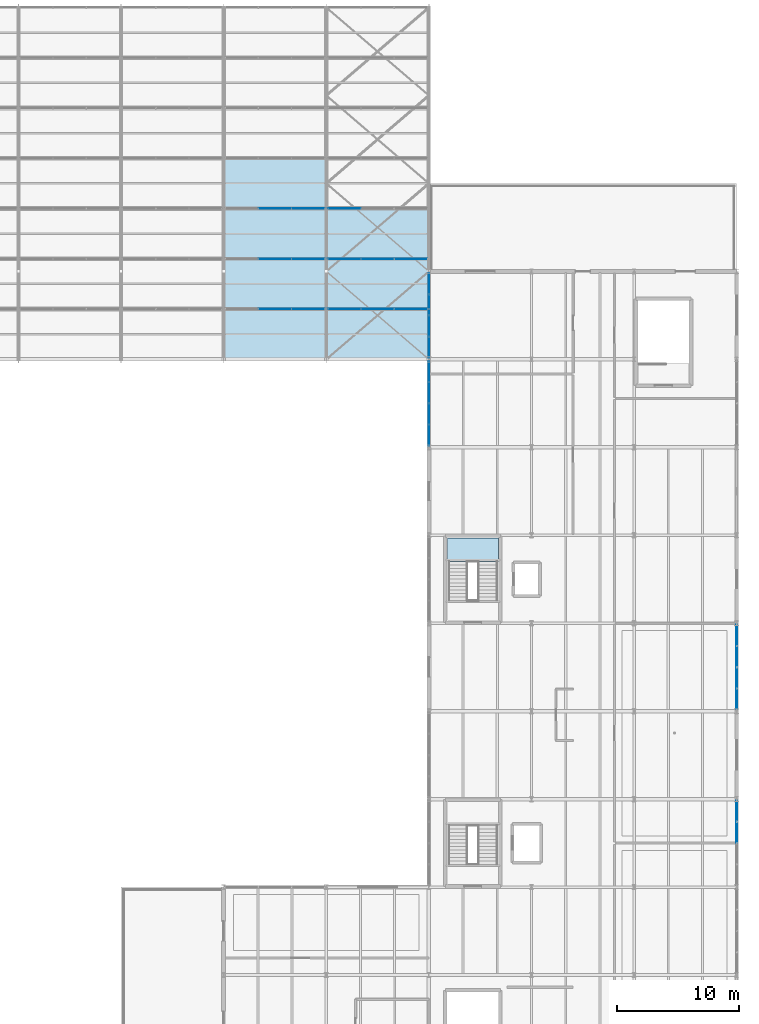
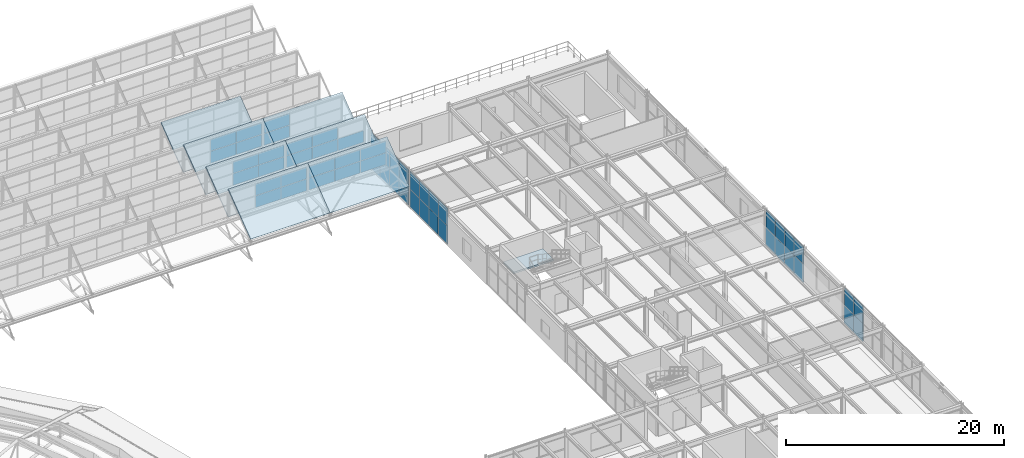
# One storey, part 110 of 134: 53 plates, 8 slabs, 11 elements without a shape of their own.
"""IFC4 building model written with IfcOpenShell, lengths in metres."""

from ifc_helpers import new_model, si_unit, derived_unit, direction, frame, origin, origin_2d, place, context, subcontext, project, spatial, polyline, rectangle, outline, extrude, material, layer, layer_set, type_object, element, aggregate, save


model = new_model("IFC4")

# Units and contexts
model_context = context("Model", 3, precision=1e-05, world=origin(), true_north=direction((0.0, 1.0)))
body_context = subcontext(model_context, "Body", "Model", "MODEL_VIEW")
ifc_project = project(units=[si_unit("LENGTHUNIT", "METRE"), si_unit("AREAUNIT", "SQUARE_METRE"), si_unit("VOLUMEUNIT", "CUBIC_METRE"), si_unit("PLANEANGLEUNIT", "RADIAN"), si_unit("MASSUNIT", "GRAM", prefix="KILO"), derived_unit("THERMALTRANSMITTANCEUNIT", [(si_unit("MASSUNIT", "GRAM", prefix="KILO"), 1), (si_unit("TIMEUNIT", "SECOND"), -3), (si_unit("THERMODYNAMICTEMPERATUREUNIT", "KELVIN"), -1)])], contexts=[model_context])

# Site, building, storey
site_placement = place(None, origin())
site = spatial("IfcSite", under=ifc_project, at=site_placement, CompositionType="ELEMENT")
building_placement = place(site_placement, origin())
building = spatial("IfcBuilding", under=site, at=building_placement, Name="Kharveza Railside Sports Centre", CompositionType="ELEMENT")
storey_placement = place(building_placement, frame((0.0, 0.0, 12.89990234375)))
storey = spatial("IfcBuildingStorey", under=building, at=storey_placement, Name="L03", CompositionType="ELEMENT", Elevation=12.89990234375)

# Curtain wall, plates
ifc_material_1 = material(Name="Low-E solar-control laminated glass", Category="glass")
curtain_wall_type_1 = type_object("IfcCurtainWallType", Name="CW-NL02", PredefinedType="NOTDEFINED", material=ifc_material_1)
curtain_wall_1_placement = place(storey_placement, origin())
curtain_wall_1 = element("IfcCurtainWall", 1, at=curtain_wall_1_placement, inside=storey, type_object=curtain_wall_type_1, Name="CW-V2NL-1-5", PredefinedType="NOTDEFINED")
ifc_layer_1 = layer(ifc_material_1, 0.033935546875, Name="Low-E solar-control laminated glass")
ifc_layer_set_1 = layer_set([ifc_layer_1], Name="Low-E solar-control laminated glass")
plate_type_1 = type_object("IfcPlateType", Name="PL-CP06", PredefinedType="CURTAIN_PANEL", material=ifc_layer_set_1)
plate_1_placement = place(storey_placement, frame((130.199951171875, 83.314208984375, 2.219970703125), z_axis=(0.0, 0.0, 1.0), x_axis=(1.0, 0.0, 0.0)))
plate_1 = element("IfcPlate", 2, at=plate_1_placement, type_object=plate_type_1, Name="CW-V2NL-1-5-PN21", PredefinedType="CURTAIN_PANEL", context=body_context, shape_type="SweptSolid", body=[
    extrude(rectangle(XDim=2.679931640625, YDim=0.033935546875, at=origin_2d()), origin(), (0.0, 0.0, 1.0), 1.31005859375),
])
plate_2_placement = place(storey_placement, frame((130.199951171875, 83.314208984375, 3.570068359375), z_axis=(0.0, 0.0, 1.0), x_axis=(1.0, 0.0, 0.0)))
plate_2 = element("IfcPlate", 3, at=plate_2_placement, type_object=plate_type_1, Name="CW-V2NL-1-5-PN22", PredefinedType="CURTAIN_PANEL", context=body_context, shape_type="SweptSolid", body=[
    extrude(rectangle(XDim=2.679931640625, YDim=0.033935546875, at=origin_2d()), origin(), (0.0, 0.0, 1.0), 1.31005859375),
])
plate_3_placement = place(storey_placement, frame((132.919921875, 83.314208984375, 2.219970703125), z_axis=(0.0, 0.0, 1.0), x_axis=(1.0, 0.0, 0.0)))
plate_3 = element("IfcPlate", 4, at=plate_3_placement, type_object=plate_type_1, Name="CW-V2NL-1-5-PN31", PredefinedType="CURTAIN_PANEL", context=body_context, shape_type="SweptSolid", body=[
    extrude(rectangle(XDim=2.679931640625, YDim=0.033935546875, at=origin_2d()), origin(), (0.0, 0.0, 1.0), 1.31005859375),
])
plate_4_placement = place(storey_placement, frame((132.919921875, 83.314208984375, 3.570068359375), z_axis=(0.0, 0.0, 1.0), x_axis=(1.0, 0.0, 0.0)))
plate_4 = element("IfcPlate", 5, at=plate_4_placement, type_object=plate_type_1, Name="CW-V2NL-1-5-PN32", PredefinedType="CURTAIN_PANEL", context=body_context, shape_type="SweptSolid", body=[
    extrude(rectangle(XDim=2.679931640625, YDim=0.033935546875, at=origin_2d()), origin(), (0.0, 0.0, 1.0), 1.31005859375),
])
aggregate(curtain_wall_1, [plate_1, plate_2, plate_3, plate_4])

curtain_wall_2_placement = place(storey_placement, origin())
curtain_wall_2 = element("IfcCurtainWall", 6, at=curtain_wall_2_placement, inside=storey, type_object=curtain_wall_type_1, Name="CW-V2NL-1-6", PredefinedType="NOTDEFINED")
plate_5_placement = place(storey_placement, frame((135.8798828125, 83.314208984375, 2.219970703125), z_axis=(0.0, 0.0, 1.0), x_axis=(1.0, 0.0, 0.0)))
plate_5 = element("IfcPlate", 7, at=plate_5_placement, type_object=plate_type_1, Name="CW-V2NL-1-6-PN11", PredefinedType="CURTAIN_PANEL", context=body_context, shape_type="SweptSolid", body=[
    extrude(rectangle(XDim=2.679931640625, YDim=0.033935546875, at=origin_2d()), origin(), (0.0, 0.0, 1.0), 1.31005859375),
])
plate_6_placement = place(storey_placement, frame((135.8798828125, 83.314208984375, 3.570068359375), z_axis=(0.0, 0.0, 1.0), x_axis=(1.0, 0.0, 0.0)))
plate_6 = element("IfcPlate", 8, at=plate_6_placement, type_object=plate_type_1, Name="CW-V2NL-1-6-PN12", PredefinedType="CURTAIN_PANEL", context=body_context, shape_type="SweptSolid", body=[
    extrude(rectangle(XDim=2.679931640625, YDim=0.033935546875, at=origin_2d()), origin(), (0.0, 0.0, 1.0), 1.31005859375),
])
plate_7_placement = place(storey_placement, frame((138.60009765625, 83.314208984375, 2.219970703125), z_axis=(0.0, 0.0, 1.0), x_axis=(1.0, 0.0, 0.0)))
plate_7 = element("IfcPlate", 9, at=plate_7_placement, type_object=plate_type_1, Name="CW-V2NL-1-6-PN21", PredefinedType="CURTAIN_PANEL", context=body_context, shape_type="SweptSolid", body=[
    extrude(rectangle(XDim=2.679931640625, YDim=0.033935546875, at=origin_2d()), origin(), (0.0, 0.0, 1.0), 1.31005859375),
])
plate_8_placement = place(storey_placement, frame((138.60009765625, 83.314208984375, 3.570068359375), z_axis=(0.0, 0.0, 1.0), x_axis=(1.0, 0.0, 0.0)))
plate_8 = element("IfcPlate", 10, at=plate_8_placement, type_object=plate_type_1, Name="CW-V2NL-1-6-PN22", PredefinedType="CURTAIN_PANEL", context=body_context, shape_type="SweptSolid", body=[
    extrude(rectangle(XDim=2.679931640625, YDim=0.033935546875, at=origin_2d()), origin(), (0.0, 0.0, 1.0), 1.31005859375),
])
plate_9_placement = place(storey_placement, frame((141.320068359375, 83.314208984375, 2.219970703125), z_axis=(0.0, 0.0, 1.0), x_axis=(1.0, 0.0, 0.0)))
plate_9 = element("IfcPlate", 11, at=plate_9_placement, type_object=plate_type_1, Name="CW-V2NL-1-6-PN31", PredefinedType="CURTAIN_PANEL", context=body_context, shape_type="SweptSolid", body=[
    extrude(rectangle(XDim=2.679931640625, YDim=0.033935546875, at=origin_2d()), origin(), (0.0, 0.0, 1.0), 1.31005859375),
])
plate_10_placement = place(storey_placement, frame((141.320068359375, 83.314208984375, 3.570068359375), z_axis=(0.0, 0.0, 1.0), x_axis=(1.0, 0.0, 0.0)))
plate_10 = element("IfcPlate", 12, at=plate_10_placement, type_object=plate_type_1, Name="CW-V2NL-1-6-PN32", PredefinedType="CURTAIN_PANEL", context=body_context, shape_type="SweptSolid", body=[
    extrude(rectangle(XDim=2.679931640625, YDim=0.033935546875, at=origin_2d()), origin(), (0.0, 0.0, 1.0), 1.31005859375),
])
aggregate(curtain_wall_2, [plate_5, plate_6, plate_7, plate_8, plate_9, plate_10])

curtain_wall_3_placement = place(storey_placement, origin())
curtain_wall_3 = element("IfcCurtainWall", 13, at=curtain_wall_3_placement, inside=storey, type_object=curtain_wall_type_1, Name="CW-V2NL-2-5", PredefinedType="NOTDEFINED")
plate_11_placement = place(storey_placement, frame((130.199951171875, 87.4287109375, 2.219970703125), z_axis=(0.0, 0.0, 1.0), x_axis=(1.0, 0.0, 0.0)))
plate_11 = element("IfcPlate", 14, at=plate_11_placement, type_object=plate_type_1, Name="CW-V2NL-2-5-PN21", PredefinedType="CURTAIN_PANEL", context=body_context, shape_type="SweptSolid", body=[
    extrude(rectangle(XDim=2.679931640625, YDim=0.033935546875, at=origin_2d()), origin(), (0.0, 0.0, 1.0), 1.31005859375),
])
plate_12_placement = place(storey_placement, frame((130.199951171875, 87.4287109375, 3.570068359375), z_axis=(0.0, 0.0, 1.0), x_axis=(1.0, 0.0, 0.0)))
plate_12 = element("IfcPlate", 15, at=plate_12_placement, type_object=plate_type_1, Name="CW-V2NL-2-5-PN22", PredefinedType="CURTAIN_PANEL", context=body_context, shape_type="SweptSolid", body=[
    extrude(rectangle(XDim=2.679931640625, YDim=0.033935546875, at=origin_2d()), origin(), (0.0, 0.0, 1.0), 1.31005859375),
])
plate_13_placement = place(storey_placement, frame((132.919921875, 87.4287109375, 2.219970703125), z_axis=(0.0, 0.0, 1.0), x_axis=(1.0, 0.0, 0.0)))
plate_13 = element("IfcPlate", 16, at=plate_13_placement, type_object=plate_type_1, Name="CW-V2NL-2-5-PN31", PredefinedType="CURTAIN_PANEL", context=body_context, shape_type="SweptSolid", body=[
    extrude(rectangle(XDim=2.679931640625, YDim=0.033935546875, at=origin_2d()), origin(), (0.0, 0.0, 1.0), 1.31005859375),
])
plate_14_placement = place(storey_placement, frame((132.919921875, 87.4287109375, 3.570068359375), z_axis=(0.0, 0.0, 1.0), x_axis=(1.0, 0.0, 0.0)))
plate_14 = element("IfcPlate", 17, at=plate_14_placement, type_object=plate_type_1, Name="CW-V2NL-2-5-PN32", PredefinedType="CURTAIN_PANEL", context=body_context, shape_type="SweptSolid", body=[
    extrude(rectangle(XDim=2.679931640625, YDim=0.033935546875, at=origin_2d()), origin(), (0.0, 0.0, 1.0), 1.31005859375),
])
aggregate(curtain_wall_3, [plate_11, plate_12, plate_13, plate_14])

curtain_wall_4_placement = place(storey_placement, origin())
curtain_wall_4 = element("IfcCurtainWall", 18, at=curtain_wall_4_placement, inside=storey, type_object=curtain_wall_type_1, Name="CW-V2NL-2-6", PredefinedType="NOTDEFINED")
plate_15_placement = place(storey_placement, frame((135.8798828125, 87.4287109375, 2.219970703125), z_axis=(0.0, 0.0, 1.0), x_axis=(1.0, 0.0, 0.0)))
plate_15 = element("IfcPlate", 19, at=plate_15_placement, type_object=plate_type_1, Name="CW-V2NL-2-6-PN11", PredefinedType="CURTAIN_PANEL", context=body_context, shape_type="SweptSolid", body=[
    extrude(rectangle(XDim=2.679931640625, YDim=0.033935546875, at=origin_2d()), origin(), (0.0, 0.0, 1.0), 1.31005859375),
])
plate_16_placement = place(storey_placement, frame((135.8798828125, 87.4287109375, 3.570068359375), z_axis=(0.0, 0.0, 1.0), x_axis=(1.0, 0.0, 0.0)))
plate_16 = element("IfcPlate", 20, at=plate_16_placement, type_object=plate_type_1, Name="CW-V2NL-2-6-PN12", PredefinedType="CURTAIN_PANEL", context=body_context, shape_type="SweptSolid", body=[
    extrude(rectangle(XDim=2.679931640625, YDim=0.033935546875, at=origin_2d()), origin(), (0.0, 0.0, 1.0), 1.31005859375),
])
plate_17_placement = place(storey_placement, frame((138.60009765625, 87.4287109375, 2.219970703125), z_axis=(0.0, 0.0, 1.0), x_axis=(1.0, 0.0, 0.0)))
plate_17 = element("IfcPlate", 21, at=plate_17_placement, type_object=plate_type_1, Name="CW-V2NL-2-6-PN21", PredefinedType="CURTAIN_PANEL", context=body_context, shape_type="SweptSolid", body=[
    extrude(rectangle(XDim=2.679931640625, YDim=0.033935546875, at=origin_2d()), origin(), (0.0, 0.0, 1.0), 1.31005859375),
])
plate_18_placement = place(storey_placement, frame((138.60009765625, 87.4287109375, 3.570068359375), z_axis=(0.0, 0.0, 1.0), x_axis=(1.0, 0.0, 0.0)))
plate_18 = element("IfcPlate", 22, at=plate_18_placement, type_object=plate_type_1, Name="CW-V2NL-2-6-PN22", PredefinedType="CURTAIN_PANEL", context=body_context, shape_type="SweptSolid", body=[
    extrude(rectangle(XDim=2.679931640625, YDim=0.033935546875, at=origin_2d()), origin(), (0.0, 0.0, 1.0), 1.31005859375),
])
plate_19_placement = place(storey_placement, frame((141.320068359375, 87.4287109375, 2.219970703125), z_axis=(0.0, 0.0, 1.0), x_axis=(1.0, 0.0, 0.0)))
plate_19 = element("IfcPlate", 23, at=plate_19_placement, type_object=plate_type_1, Name="CW-V2NL-2-6-PN31", PredefinedType="CURTAIN_PANEL", context=body_context, shape_type="SweptSolid", body=[
    extrude(rectangle(XDim=2.679931640625, YDim=0.033935546875, at=origin_2d()), origin(), (0.0, 0.0, 1.0), 1.31005859375),
])
aggregate(curtain_wall_4, [plate_15, plate_16, plate_17, plate_18, plate_19])

curtain_wall_5_placement = place(storey_placement, origin())
curtain_wall_5 = element("IfcCurtainWall", 24, at=curtain_wall_5_placement, inside=storey, type_object=curtain_wall_type_1, Name="CW-V2NL-3-5", PredefinedType="NOTDEFINED")
plate_20_placement = place(storey_placement, frame((130.199951171875, 91.54296875, 2.219970703125), z_axis=(0.0, 0.0, 1.0), x_axis=(1.0, 0.0, 0.0)))
plate_20 = element("IfcPlate", 25, at=plate_20_placement, type_object=plate_type_1, Name="CW-V2NL-3-5-PN21", PredefinedType="CURTAIN_PANEL", context=body_context, shape_type="SweptSolid", body=[
    extrude(rectangle(XDim=2.679931640625, YDim=0.033935546875, at=origin_2d()), origin(), (0.0, 0.0, 1.0), 1.31005859375),
])
plate_21_placement = place(storey_placement, frame((130.199951171875, 91.54296875, 3.570068359375), z_axis=(0.0, 0.0, 1.0), x_axis=(1.0, 0.0, 0.0)))
plate_21 = element("IfcPlate", 26, at=plate_21_placement, type_object=plate_type_1, Name="CW-V2NL-3-5-PN22", PredefinedType="CURTAIN_PANEL", context=body_context, shape_type="SweptSolid", body=[
    extrude(rectangle(XDim=2.679931640625, YDim=0.033935546875, at=origin_2d()), origin(), (0.0, 0.0, 1.0), 1.31005859375),
])
plate_22_placement = place(storey_placement, frame((132.919921875, 91.54296875, 2.219970703125), z_axis=(0.0, 0.0, 1.0), x_axis=(1.0, 0.0, 0.0)))
plate_22 = element("IfcPlate", 27, at=plate_22_placement, type_object=plate_type_1, Name="CW-V2NL-3-5-PN31", PredefinedType="CURTAIN_PANEL", context=body_context, shape_type="SweptSolid", body=[
    extrude(rectangle(XDim=2.679931640625, YDim=0.033935546875, at=origin_2d()), origin(), (0.0, 0.0, 1.0), 1.31005859375),
])
plate_23_placement = place(storey_placement, frame((132.919921875, 91.54296875, 3.570068359375), z_axis=(0.0, 0.0, 1.0), x_axis=(1.0, 0.0, 0.0)))
plate_23 = element("IfcPlate", 28, at=plate_23_placement, type_object=plate_type_1, Name="CW-V2NL-3-5-PN32", PredefinedType="CURTAIN_PANEL", context=body_context, shape_type="SweptSolid", body=[
    extrude(rectangle(XDim=2.679931640625, YDim=0.033935546875, at=origin_2d()), origin(), (0.0, 0.0, 1.0), 1.31005859375),
])
aggregate(curtain_wall_5, [plate_20, plate_21, plate_22, plate_23])

curtain_wall_6_placement = place(storey_placement, origin())
curtain_wall_6 = element("IfcCurtainWall", 29, at=curtain_wall_6_placement, inside=storey, type_object=curtain_wall_type_1, Name="CW-V2NL-3-6", PredefinedType="NOTDEFINED")
plate_24_placement = place(storey_placement, frame((135.8798828125, 91.54296875, 2.219970703125), z_axis=(0.0, 0.0, 1.0), x_axis=(1.0, 0.0, 0.0)))
plate_24 = element("IfcPlate", 30, at=plate_24_placement, type_object=plate_type_1, Name="CW-V2NL-3-6-PN11", PredefinedType="CURTAIN_PANEL", context=body_context, shape_type="SweptSolid", body=[
    extrude(rectangle(XDim=2.679931640625, YDim=0.033935546875, at=origin_2d()), origin(), (0.0, 0.0, 1.0), 1.31005859375),
])
plate_25_placement = place(storey_placement, frame((135.8798828125, 91.54296875, 3.570068359375), z_axis=(0.0, 0.0, 1.0), x_axis=(1.0, 0.0, 0.0)))
plate_25 = element("IfcPlate", 31, at=plate_25_placement, type_object=plate_type_1, Name="CW-V2NL-3-6-PN12", PredefinedType="CURTAIN_PANEL", context=body_context, shape_type="SweptSolid", body=[
    extrude(rectangle(XDim=2.679931640625, YDim=0.033935546875, at=origin_2d()), origin(), (0.0, 0.0, 1.0), 1.31005859375),
])
aggregate(curtain_wall_6, [plate_24, plate_25])

curtain_wall_type_2 = type_object("IfcCurtainWallType", Name="CW-WG02", PredefinedType="NOTDEFINED", material=ifc_material_1)
curtain_wall_7_placement = place(storey_placement, origin())
curtain_wall_7 = element("IfcCurtainWall", 32, at=curtain_wall_7_placement, inside=storey, type_object=curtain_wall_type_2, Name="CW-WG-L03-CW-WG02-X1680-Y396", PredefinedType="NOTDEFINED")
ifc_layer_2 = layer(ifc_material_1, 0.035888671875, Name="Low-E solar-control laminated glass")
ifc_layer_set_2 = layer_set([ifc_layer_2], Name="Low-E solar-control laminated glass")
plate_type_2 = type_object("IfcPlateType", Name="PL-CP10", PredefinedType="CURTAIN_PANEL", material=ifc_layer_set_2)
plate_26_placement = place(storey_placement, frame((168.0, 40.469970703125, 2.03759765625), z_axis=(0.0, 0.0, 1.0), x_axis=(0.0, 1.0, 0.0)))
plate_26 = element("IfcPlate", 33, at=plate_26_placement, type_object=plate_type_2, Name="CW-WG-L03-CW-WG02-X1680-Y396-PN32", PredefinedType="CURTAIN_PANEL", context=body_context, shape_type="SweptSolid", body=[
    extrude(rectangle(XDim=1.699951171875, YDim=0.035888671875, at=origin_2d()), origin(), (0.0, 0.0, 1.0), 1.9775390625),
])
plate_27_placement = place(storey_placement, frame((168.0, 42.2099609375, 2.03759765625), z_axis=(0.0, 0.0, 1.0), x_axis=(0.0, 1.0, 0.0)))
plate_27 = element("IfcPlate", 34, at=plate_27_placement, type_object=plate_type_2, Name="CW-WG-L03-CW-WG02-X1680-Y396-PN42", PredefinedType="CURTAIN_PANEL", context=body_context, shape_type="SweptSolid", body=[
    extrude(rectangle(XDim=1.699951171875, YDim=0.035888671875, at=origin_2d()), origin(), (0.0, 0.0, 1.0), 1.9775390625),
])

curtain_wall_8_placement = place(storey_placement, origin())
curtain_wall_8 = element("IfcCurtainWall", 35, at=curtain_wall_8_placement, inside=storey, type_object=curtain_wall_type_2, Name="CW-WG-L03-CW-WG02-X1680-Y540", PredefinedType="NOTDEFINED")
plate_28_placement = place(storey_placement, frame((168.0, 51.389892578125, 2.03759765625), z_axis=(0.0, 0.0, 1.0), x_axis=(0.0, 1.0, 0.0)))
plate_28 = element("IfcPlate", 36, at=plate_28_placement, type_object=plate_type_2, Name="CW-WG-L03-CW-WG02-X1680-Y540-PN12", PredefinedType="CURTAIN_PANEL", context=body_context, shape_type="SweptSolid", body=[
    extrude(rectangle(XDim=1.699951171875, YDim=0.035888671875, at=origin_2d()), origin(), (0.0, 0.0, 1.0), 1.9775390625),
])
plate_29_placement = place(storey_placement, frame((168.0, 53.1298828125, 2.03759765625), z_axis=(0.0, 0.0, 1.0), x_axis=(0.0, 1.0, 0.0)))
plate_29 = element("IfcPlate", 37, at=plate_29_placement, type_object=plate_type_2, Name="CW-WG-L03-CW-WG02-X1680-Y540-PN22", PredefinedType="CURTAIN_PANEL", context=body_context, shape_type="SweptSolid", body=[
    extrude(rectangle(XDim=1.699951171875, YDim=0.035888671875, at=origin_2d()), origin(), (0.0, 0.0, 1.0), 1.9775390625),
])
plate_30_placement = place(storey_placement, frame((168.0, 54.8701171875, 2.03759765625), z_axis=(0.0, 0.0, 1.0), x_axis=(0.0, 1.0, 0.0)))
plate_30 = element("IfcPlate", 38, at=plate_30_placement, type_object=plate_type_2, Name="CW-WG-L03-CW-WG02-X1680-Y540-PN32", PredefinedType="CURTAIN_PANEL", context=body_context, shape_type="SweptSolid", body=[
    extrude(rectangle(XDim=1.699951171875, YDim=0.035888671875, at=origin_2d()), origin(), (0.0, 0.0, 1.0), 1.9775390625),
])
plate_31_placement = place(storey_placement, frame((168.0, 56.610107421875, 2.03759765625), z_axis=(0.0, 0.0, 1.0), x_axis=(0.0, 1.0, 0.0)))
plate_31 = element("IfcPlate", 39, at=plate_31_placement, type_object=plate_type_2, Name="CW-WG-L03-CW-WG02-X1680-Y540-PN42", PredefinedType="CURTAIN_PANEL", context=body_context, shape_type="SweptSolid", body=[
    extrude(rectangle(XDim=1.699951171875, YDim=0.035888671875, at=origin_2d()), origin(), (0.0, 0.0, 1.0), 1.9775390625),
])

curtain_wall_9_placement = place(storey_placement, origin())
curtain_wall_9 = element("IfcCurtainWall", 40, at=curtain_wall_9_placement, inside=storey, type_object=curtain_wall_type_2, Name="CW-WG-L03-CW-WG02-X1428-Y828", PredefinedType="NOTDEFINED")
plate_32_placement = place(storey_placement, frame((142.800048828125, 85.409912109375, 2.03759765625), z_axis=(0.0, 0.0, 1.0), x_axis=(0.0, -1.0, 0.0)))
plate_32 = element("IfcPlate", 41, at=plate_32_placement, type_object=plate_type_2, Name="CW-WG-L03-CW-WG02-X1428-Y828-PN12", PredefinedType="CURTAIN_PANEL", context=body_context, shape_type="SweptSolid", body=[
    extrude(rectangle(XDim=1.699951171875, YDim=0.035888671875, at=origin_2d()), origin(), (0.0, 0.0, 1.0), 1.9775390625),
])
plate_33_placement = place(storey_placement, frame((142.800048828125, 83.669921875, 2.03759765625), z_axis=(0.0, 0.0, 1.0), x_axis=(0.0, -1.0, 0.0)))
plate_33 = element("IfcPlate", 42, at=plate_33_placement, type_object=plate_type_2, Name="CW-WG-L03-CW-WG02-X1428-Y828-PN22", PredefinedType="CURTAIN_PANEL", context=body_context, shape_type="SweptSolid", body=[
    extrude(rectangle(XDim=1.699951171875, YDim=0.035888671875, at=origin_2d()), origin(), (0.0, 0.0, 1.0), 1.9775390625),
])
plate_34_placement = place(storey_placement, frame((142.800048828125, 81.929931640625, 2.03759765625), z_axis=(0.0, 0.0, 1.0), x_axis=(0.0, -1.0, 0.0)))
plate_34 = element("IfcPlate", 43, at=plate_34_placement, type_object=plate_type_2, Name="CW-WG-L03-CW-WG02-X1428-Y828-PN32", PredefinedType="CURTAIN_PANEL", context=body_context, shape_type="SweptSolid", body=[
    extrude(rectangle(XDim=1.699951171875, YDim=0.035888671875, at=origin_2d()), origin(), (0.0, 0.0, 1.0), 1.9775390625),
])
plate_35_placement = place(storey_placement, frame((142.800048828125, 80.18994140625, 2.03759765625), z_axis=(0.0, 0.0, 1.0), x_axis=(0.0, -1.0, 0.0)))
plate_35 = element("IfcPlate", 44, at=plate_35_placement, type_object=plate_type_2, Name="CW-WG-L03-CW-WG02-X1428-Y828-PN42", PredefinedType="CURTAIN_PANEL", context=body_context, shape_type="SweptSolid", body=[
    extrude(rectangle(XDim=1.699951171875, YDim=0.035888671875, at=origin_2d()), origin(), (0.0, 0.0, 1.0), 1.9775390625),
])

curtain_wall_10_placement = place(storey_placement, origin())
curtain_wall_10 = element("IfcCurtainWall", 45, at=curtain_wall_10_placement, inside=storey, type_object=curtain_wall_type_2, Name="CW-WG-L03-CW-WG02-X1428-Y756", PredefinedType="NOTDEFINED")
plate_36_placement = place(storey_placement, frame((142.800048828125, 78.2099609375, 2.03759765625), z_axis=(0.0, 0.0, 1.0), x_axis=(0.0, -1.0, 0.0)))
plate_36 = element("IfcPlate", 46, at=plate_36_placement, type_object=plate_type_2, Name="CW-WG-L03-CW-WG02-X1428-Y756-PN12", PredefinedType="CURTAIN_PANEL", context=body_context, shape_type="SweptSolid", body=[
    extrude(rectangle(XDim=1.699951171875, YDim=0.035888671875, at=origin_2d()), origin(), (0.0, 0.0, 1.0), 1.9775390625),
])
plate_37_placement = place(storey_placement, frame((142.800048828125, 76.469970703125, 2.03759765625), z_axis=(0.0, 0.0, 1.0), x_axis=(0.0, -1.0, 0.0)))
plate_37 = element("IfcPlate", 47, at=plate_37_placement, type_object=plate_type_2, Name="CW-WG-L03-CW-WG02-X1428-Y756-PN22", PredefinedType="CURTAIN_PANEL", context=body_context, shape_type="SweptSolid", body=[
    extrude(rectangle(XDim=1.699951171875, YDim=0.035888671875, at=origin_2d()), origin(), (0.0, 0.0, 1.0), 1.9775390625),
])
plate_38_placement = place(storey_placement, frame((142.800048828125, 74.72998046875, 2.03759765625), z_axis=(0.0, 0.0, 1.0), x_axis=(0.0, -1.0, 0.0)))
plate_38 = element("IfcPlate", 48, at=plate_38_placement, type_object=plate_type_2, Name="CW-WG-L03-CW-WG02-X1428-Y756-PN32", PredefinedType="CURTAIN_PANEL", context=body_context, shape_type="SweptSolid", body=[
    extrude(rectangle(XDim=1.699951171875, YDim=0.035888671875, at=origin_2d()), origin(), (0.0, 0.0, 1.0), 1.9775390625),
])
plate_39_placement = place(storey_placement, frame((142.800048828125, 72.989990234375, 2.03759765625), z_axis=(0.0, 0.0, 1.0), x_axis=(0.0, -1.0, 0.0)))
plate_39 = element("IfcPlate", 49, at=plate_39_placement, type_object=plate_type_2, Name="CW-WG-L03-CW-WG02-X1428-Y756-PN42", PredefinedType="CURTAIN_PANEL", context=body_context, shape_type="SweptSolid", body=[
    extrude(rectangle(XDim=1.699951171875, YDim=0.035888671875, at=origin_2d()), origin(), (0.0, 0.0, 1.0), 1.9775390625),
])

# Plate
ifc_material_2 = material(Name="Anodised aluminium 6063-T6", Category="aluminium")
ifc_layer_3 = layer(ifc_material_2, 0.044921875, Name="Anodised aluminium 6063-T6")
ifc_layer_set_3 = layer_set([ifc_layer_3], Name="Anodised aluminium 6063-T6")
plate_type_3 = type_object("IfcPlateType", Name="PL-CP11", PredefinedType="CURTAIN_PANEL", material=ifc_layer_set_3)
plate_40_placement = place(storey_placement, frame((168.0, 40.469970703125, 0.02001953125), z_axis=(0.0, 0.0, 1.0), x_axis=(0.0, 1.0, 0.0)))
plate_40 = element("IfcPlate", 50, at=plate_40_placement, type_object=plate_type_3, Name="CW-WG-L03-CW-WG02-X1680-Y396-PN31", PredefinedType="CURTAIN_PANEL", context=body_context, shape_type="SweptSolid", body=[
    extrude(rectangle(XDim=1.699951171875, YDim=0.044921875, at=origin_2d()), origin(), (0.0, 0.0, 1.0), 1.9775390625),
])

plate_41_placement = place(storey_placement, frame((168.0, 42.2099609375, 0.02001953125), z_axis=(0.0, 0.0, 1.0), x_axis=(0.0, 1.0, 0.0)))
plate_41 = element("IfcPlate", 51, at=plate_41_placement, type_object=plate_type_3, Name="CW-WG-L03-CW-WG02-X1680-Y396-PN41", PredefinedType="CURTAIN_PANEL", context=body_context, shape_type="SweptSolid", body=[
    extrude(rectangle(XDim=1.699951171875, YDim=0.044921875, at=origin_2d()), origin(), (0.0, 0.0, 1.0), 1.9775390625),
])

aggregate(curtain_wall_7, [plate_40, plate_26, plate_41, plate_27])

plate_42_placement = place(storey_placement, frame((168.0, 51.389892578125, 0.02001953125), z_axis=(0.0, 0.0, 1.0), x_axis=(0.0, 1.0, 0.0)))
plate_42 = element("IfcPlate", 52, at=plate_42_placement, type_object=plate_type_3, Name="CW-WG-L03-CW-WG02-X1680-Y540-PN11", PredefinedType="CURTAIN_PANEL", context=body_context, shape_type="SweptSolid", body=[
    extrude(rectangle(XDim=1.699951171875, YDim=0.044921875, at=origin_2d()), origin(), (0.0, 0.0, 1.0), 1.9775390625),
])

plate_43_placement = place(storey_placement, frame((168.0, 53.1298828125, 0.02001953125), z_axis=(0.0, 0.0, 1.0), x_axis=(0.0, 1.0, 0.0)))
plate_43 = element("IfcPlate", 53, at=plate_43_placement, type_object=plate_type_3, Name="CW-WG-L03-CW-WG02-X1680-Y540-PN21", PredefinedType="CURTAIN_PANEL", context=body_context, shape_type="SweptSolid", body=[
    extrude(rectangle(XDim=1.699951171875, YDim=0.044921875, at=origin_2d()), origin(), (0.0, 0.0, 1.0), 1.9775390625),
])

plate_44_placement = place(storey_placement, frame((168.0, 54.8701171875, 0.02001953125), z_axis=(0.0, 0.0, 1.0), x_axis=(0.0, 1.0, 0.0)))
plate_44 = element("IfcPlate", 54, at=plate_44_placement, type_object=plate_type_3, Name="CW-WG-L03-CW-WG02-X1680-Y540-PN31", PredefinedType="CURTAIN_PANEL", context=body_context, shape_type="SweptSolid", body=[
    extrude(rectangle(XDim=1.699951171875, YDim=0.044921875, at=origin_2d()), origin(), (0.0, 0.0, 1.0), 1.9775390625),
])

plate_45_placement = place(storey_placement, frame((168.0, 56.610107421875, 0.02001953125), z_axis=(0.0, 0.0, 1.0), x_axis=(0.0, 1.0, 0.0)))
plate_45 = element("IfcPlate", 55, at=plate_45_placement, type_object=plate_type_3, Name="CW-WG-L03-CW-WG02-X1680-Y540-PN41", PredefinedType="CURTAIN_PANEL", context=body_context, shape_type="SweptSolid", body=[
    extrude(rectangle(XDim=1.699951171875, YDim=0.044921875, at=origin_2d()), origin(), (0.0, 0.0, 1.0), 1.9775390625),
])

aggregate(curtain_wall_8, [plate_42, plate_28, plate_43, plate_29, plate_44, plate_30, plate_45, plate_31])

plate_46_placement = place(storey_placement, frame((142.800048828125, 85.409912109375, 0.02001953125), z_axis=(0.0, 0.0, 1.0), x_axis=(0.0, -1.0, 0.0)))
plate_46 = element("IfcPlate", 56, at=plate_46_placement, type_object=plate_type_3, Name="CW-WG-L03-CW-WG02-X1428-Y828-PN11", PredefinedType="CURTAIN_PANEL", context=body_context, shape_type="SweptSolid", body=[
    extrude(rectangle(XDim=1.699951171875, YDim=0.044921875, at=origin_2d()), origin(), (0.0, 0.0, 1.0), 1.9775390625),
])

plate_47_placement = place(storey_placement, frame((142.800048828125, 83.669921875, 0.02001953125), z_axis=(0.0, 0.0, 1.0), x_axis=(0.0, -1.0, 0.0)))
plate_47 = element("IfcPlate", 57, at=plate_47_placement, type_object=plate_type_3, Name="CW-WG-L03-CW-WG02-X1428-Y828-PN21", PredefinedType="CURTAIN_PANEL", context=body_context, shape_type="SweptSolid", body=[
    extrude(rectangle(XDim=1.699951171875, YDim=0.044921875, at=origin_2d()), origin(), (0.0, 0.0, 1.0), 1.9775390625),
])

plate_48_placement = place(storey_placement, frame((142.800048828125, 81.929931640625, 0.02001953125), z_axis=(0.0, 0.0, 1.0), x_axis=(0.0, -1.0, 0.0)))
plate_48 = element("IfcPlate", 58, at=plate_48_placement, type_object=plate_type_3, Name="CW-WG-L03-CW-WG02-X1428-Y828-PN31", PredefinedType="CURTAIN_PANEL", context=body_context, shape_type="SweptSolid", body=[
    extrude(rectangle(XDim=1.699951171875, YDim=0.044921875, at=origin_2d()), origin(), (0.0, 0.0, 1.0), 1.9775390625),
])

plate_49_placement = place(storey_placement, frame((142.800048828125, 80.18994140625, 0.02001953125), z_axis=(0.0, 0.0, 1.0), x_axis=(0.0, -1.0, 0.0)))
plate_49 = element("IfcPlate", 59, at=plate_49_placement, type_object=plate_type_3, Name="CW-WG-L03-CW-WG02-X1428-Y828-PN41", PredefinedType="CURTAIN_PANEL", context=body_context, shape_type="SweptSolid", body=[
    extrude(rectangle(XDim=1.699951171875, YDim=0.044921875, at=origin_2d()), origin(), (0.0, 0.0, 1.0), 1.9775390625),
])

aggregate(curtain_wall_9, [plate_46, plate_32, plate_47, plate_33, plate_48, plate_34, plate_49, plate_35])

plate_50_placement = place(storey_placement, frame((142.800048828125, 78.2099609375, 0.02001953125), z_axis=(0.0, 0.0, 1.0), x_axis=(0.0, -1.0, 0.0)))
plate_50 = element("IfcPlate", 60, at=plate_50_placement, type_object=plate_type_3, Name="CW-WG-L03-CW-WG02-X1428-Y756-PN11", PredefinedType="CURTAIN_PANEL", context=body_context, shape_type="SweptSolid", body=[
    extrude(rectangle(XDim=1.699951171875, YDim=0.044921875, at=origin_2d()), origin(), (0.0, 0.0, 1.0), 1.9775390625),
])

plate_51_placement = place(storey_placement, frame((142.800048828125, 76.469970703125, 0.02001953125), z_axis=(0.0, 0.0, 1.0), x_axis=(0.0, -1.0, 0.0)))
plate_51 = element("IfcPlate", 61, at=plate_51_placement, type_object=plate_type_3, Name="CW-WG-L03-CW-WG02-X1428-Y756-PN21", PredefinedType="CURTAIN_PANEL", context=body_context, shape_type="SweptSolid", body=[
    extrude(rectangle(XDim=1.699951171875, YDim=0.044921875, at=origin_2d()), origin(), (0.0, 0.0, 1.0), 1.9775390625),
])

plate_52_placement = place(storey_placement, frame((142.800048828125, 74.72998046875, 0.02001953125), z_axis=(0.0, 0.0, 1.0), x_axis=(0.0, -1.0, 0.0)))
plate_52 = element("IfcPlate", 62, at=plate_52_placement, type_object=plate_type_3, Name="CW-WG-L03-CW-WG02-X1428-Y756-PN31", PredefinedType="CURTAIN_PANEL", context=body_context, shape_type="SweptSolid", body=[
    extrude(rectangle(XDim=1.699951171875, YDim=0.044921875, at=origin_2d()), origin(), (0.0, 0.0, 1.0), 1.9775390625),
])

plate_53_placement = place(storey_placement, frame((142.800048828125, 72.989990234375, 0.02001953125), z_axis=(0.0, 0.0, 1.0), x_axis=(0.0, -1.0, 0.0)))
plate_53 = element("IfcPlate", 63, at=plate_53_placement, type_object=plate_type_3, Name="CW-WG-L03-CW-WG02-X1428-Y756-PN41", PredefinedType="CURTAIN_PANEL", context=body_context, shape_type="SweptSolid", body=[
    extrude(rectangle(XDim=1.699951171875, YDim=0.044921875, at=origin_2d()), origin(), (0.0, 0.0, 1.0), 1.9775390625),
])

aggregate(curtain_wall_10, [plate_50, plate_36, plate_51, plate_37, plate_52, plate_38, plate_53, plate_39])

# Stair, slab
ifc_material_3 = material(Name="Concrete C35/45", Category="concrete")
stair_type = type_object("IfcStairType", Name="ST-B42", PredefinedType="TWO_STRAIGHT_RUN_STAIR", material=ifc_material_3)
stair_placement = place(storey_placement, origin())
stair = element("IfcStair", 64, at=stair_placement, inside=storey, type_object=stair_type, Name="STR-ST2-L03", PredefinedType="TWO_STRAIGHT_RUN_STAIR")
ifc_layer_4 = layer(ifc_material_3, 0.18505859375, Name="Concrete C35/45")
ifc_layer_set_4 = layer_set([ifc_layer_4], Name="Concrete C35/45")
slab_type_1 = type_object("IfcSlabType", Name="SL-LD185", PredefinedType="LANDING", material=ifc_layer_set_4)
slab_1_placement = place(storey_placement, frame((0.0, 0.0, 1.9150390625)))
slab_1 = element("IfcSlab", 65, at=slab_1_placement, type_object=slab_type_1, Name="STR-ST2-L03-HLND", PredefinedType="LANDING", context=body_context, shape_type="SweptSolid", body=[
    extrude(outline(polyline([(144.304931640625, 62.64990234375), (148.4951171875, 62.64990234375), (148.4951171875, 64.594970703125), (144.304931640625, 64.594970703125), (144.304931640625, 62.64990234375)])), origin(), (0.0, 0.0, 1.0), 0.18505859375),
])
aggregate(stair, [slab_1])

# Slabs
ifc_material_4 = material(Name="Insulated standing-seam zinc-aluminium roof panel", Category="aluminium")
ifc_layer_5 = layer(ifc_material_4, 0.155029296875, Name="Insulated standing-seam zinc-aluminium roof panel")
ifc_layer_set_5 = layer_set([ifc_layer_5], Name="Insulated standing-seam zinc-aluminium roof panel")
slab_type_2 = type_object("IfcSlabType", Name="SL-RF155", PredefinedType="ROOF", material=ifc_layer_set_5)
slab_2_placement = place(storey_placement, frame((126.0, 79.199951171875, 2.2001953125), z_axis=(0.0, -0.601757803356, 0.798678625042), x_axis=(1.0, 0.0, 0.0)))
element("IfcSlab", 66, at=slab_2_placement, inside=storey, type_object=slab_type_2, Name="Training Hall Sawtooth Roof Bay 1-5", PredefinedType="ROOF", context=body_context, shape_type="SweptSolid", body=[
    extrude(outline(polyline([(0.0, 0.0), (8.39990234375, 0.0), (8.39990234375, 5.151330815046725), (0.0, 5.151330815046725), (0.0, 0.0)])), origin(), (0.0, 0.0, -1.0), 0.155029296875),
])
slab_3_placement = place(storey_placement, frame((134.39990234375, 79.199951171875, 2.2001953125), z_axis=(0.0, -0.601757803356, 0.798678625042), x_axis=(1.0, 0.0, 0.0)))
element("IfcSlab", 67, at=slab_3_placement, inside=storey, type_object=slab_type_2, Name="Training Hall Sawtooth Roof Bay 1-6", PredefinedType="ROOF", context=body_context, shape_type="SweptSolid", body=[
    extrude(outline(polyline([(0.0, 0.0), (8.400146484375, 0.0), (8.400146484375, 5.151330815046725), (0.0, 5.151330815046725), (0.0, 0.0)])), origin(), (0.0, 0.0, -1.0), 0.155029296875),
])
slab_4_placement = place(storey_placement, frame((126.0, 83.314208984375, 2.2001953125), z_axis=(0.0, -0.601735026036, 0.798695785917), x_axis=(1.0, 0.0, 0.0)))
element("IfcSlab", 68, at=slab_4_placement, inside=storey, type_object=slab_type_2, Name="Training Hall Sawtooth Roof Bay 2-5", PredefinedType="ROOF", context=body_context, shape_type="SweptSolid", body=[
    extrude(outline(polyline([(0.0, 0.0), (8.39990234375, 0.0), (8.39990234375, 5.15152580704029), (0.0, 5.15152580704029), (0.0, 0.0)])), origin(), (0.0, 0.0, -1.0), 0.155029296875),
])
slab_5_placement = place(storey_placement, frame((134.39990234375, 83.314208984375, 2.2001953125), z_axis=(0.0, -0.601735026036, 0.798695785917), x_axis=(1.0, 0.0, 0.0)))
element("IfcSlab", 69, at=slab_5_placement, inside=storey, type_object=slab_type_2, Name="Training Hall Sawtooth Roof Bay 2-6", PredefinedType="ROOF", context=body_context, shape_type="SweptSolid", body=[
    extrude(outline(polyline([(0.0, 0.0), (8.400146484375, 0.0), (8.400146484375, 5.15152580704029), (0.0, 5.15152580704029), (0.0, 0.0)])), origin(), (0.0, 0.0, -1.0), 0.155029296875),
])
slab_6_placement = place(storey_placement, frame((126.0, 87.4287109375, 2.2001953125), z_axis=(0.0, -0.601757803356, 0.798678625042), x_axis=(1.0, 0.0, 0.0)))
element("IfcSlab", 70, at=slab_6_placement, inside=storey, type_object=slab_type_2, Name="Training Hall Sawtooth Roof Bay 3-5", PredefinedType="ROOF", context=body_context, shape_type="SweptSolid", body=[
    extrude(outline(polyline([(0.0, 0.0), (8.39990234375, 0.0), (8.39990234375, 5.151330815046725), (0.0, 5.151330815046725), (0.0, 0.0)])), origin(), (0.0, 0.0, -1.0), 0.155029296875),
])
slab_7_placement = place(storey_placement, frame((134.39990234375, 87.4287109375, 2.2001953125), z_axis=(0.0, -0.601757803356, 0.798678625042), x_axis=(1.0, 0.0, 0.0)))
element("IfcSlab", 71, at=slab_7_placement, inside=storey, type_object=slab_type_2, Name="Training Hall Sawtooth Roof Bay 3-6", PredefinedType="ROOF", context=body_context, shape_type="SweptSolid", body=[
    extrude(outline(polyline([(0.0, 0.0), (8.400146484375, 0.0), (8.400146484375, 5.151330815046725), (0.0, 5.151330815046725), (0.0, 0.0)])), origin(), (0.0, 0.0, -1.0), 0.155029296875),
])
slab_8_placement = place(storey_placement, frame((126.0, 91.54296875, 2.2001953125), z_axis=(0.0, -0.601780581912, 0.798661462219), x_axis=(1.0, 0.0, 0.0)))
element("IfcSlab", 72, at=slab_8_placement, inside=storey, type_object=slab_type_2, Name="Training Hall Sawtooth Roof Bay 4-5", PredefinedType="ROOF", context=body_context, shape_type="SweptSolid", body=[
    extrude(outline(polyline([(0.0, 0.0), (8.39990234375, 0.0), (8.39990234375, 5.151135827243065), (0.0, 5.151135827243065), (0.0, 0.0)])), origin(), (0.0, 0.0, -1.0), 0.155029296875),
])

save(model, "model.ifc")
